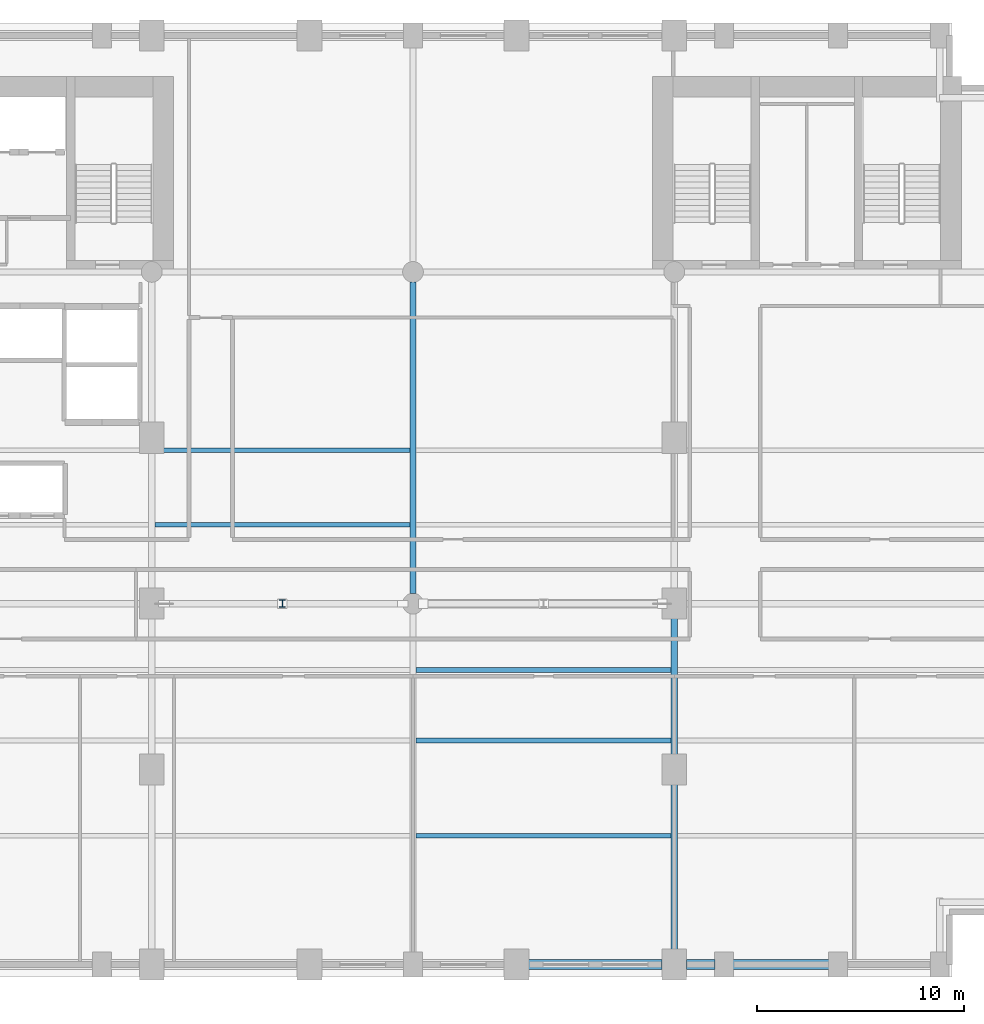
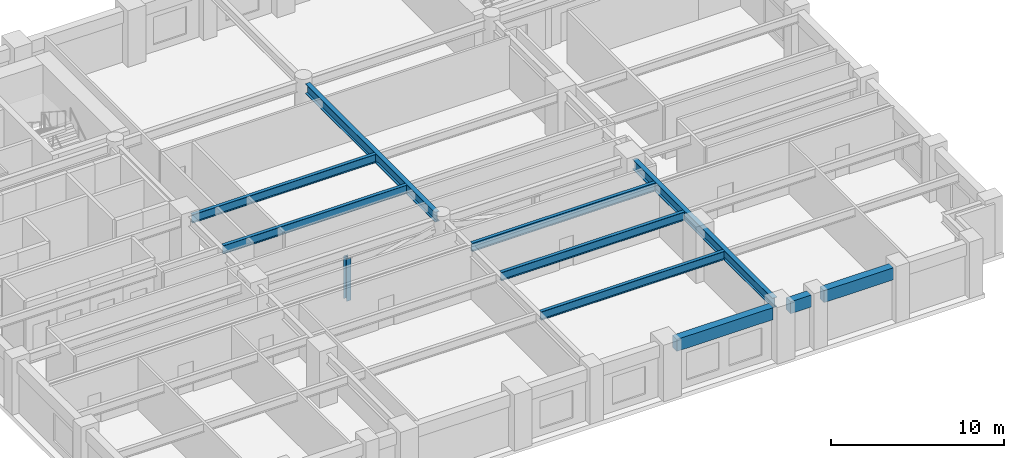
# One storey, part 2 of 10: 10 beams, 1 member.
"""IFC4 building model written with IfcOpenShell, lengths in metres."""

from ifc_helpers import new_model, si_unit, direction, frame, origin, origin_2d, place, context, subcontext, project, spatial, rectangle, i_section, extrude, material, material_profile, profile_set, type_object, element, save


model = new_model("IFC4")

# Units and contexts
model_context = context("Model", 3, precision=1e-05, world=origin(), true_north=direction((0.0, 1.0)))
body_context = subcontext(model_context, "Body", "Model", "MODEL_VIEW")
ifc_project = project(units=[si_unit("LENGTHUNIT", "METRE"), si_unit("AREAUNIT", "SQUARE_METRE"), si_unit("VOLUMEUNIT", "CUBIC_METRE"), si_unit("PLANEANGLEUNIT", "RADIAN"), si_unit("MASSUNIT", "GRAM", prefix="KILO")], contexts=[model_context])

# Site, building, storey
site_placement = place(None, origin())
site = spatial("IfcSite", under=ifc_project, at=site_placement, CompositionType="ELEMENT")
building_placement = place(site_placement, origin())
building = spatial("IfcBuilding", under=site, at=building_placement, Name="Sulina Concourse Tower", CompositionType="ELEMENT")
storey_placement = place(building_placement, frame((0.0, 0.0, 50.60009765625)))
storey = spatial("IfcBuildingStorey", under=building, at=storey_placement, Name="L12", CompositionType="ELEMENT", Elevation=50.60009765625)

# Beams
ifc_material_1 = material(Name="Steel S355", Category="steel")
ifc_material_profile_1 = material_profile(ifc_material_1, i_section(OverallWidth=0.219970703125, OverallDepth=0.60009765625, WebThickness=0.011962890625, FlangeThickness=0.01904296875, at=origin_2d()), Name="IPE 600")
ifc_profile_set_1 = profile_set([ifc_material_profile_1], Name="Steel S355")
beam_type_1 = type_object("IfcBeamType", Name="Composite Floor Joist IPE600", PredefinedType="JOIST", material=ifc_profile_set_1)
for number, where, z_axis, x_axis, name in (
    (1, (29.14990234375, 6.800048828125, 3.39990234375), (1.0, 0.0, 0.0), (0.0, 1.0, 0.0), "FJ-J06-3-L12"),
    (2, (29.14990234375, 11.39990234375, 3.39990234375), (1.0, 0.0, 0.0), (0.0, 1.0, 0.0), "FJ-J11-3-L12"),
    (3, (29.14990234375, 14.800048828125, 3.39990234375), (1.0, 0.0, 0.0), (0.0, 1.0, 0.0), "FJ-J15-3-L12"),
    (4, (16.550048828125, 21.800048828125, 3.39990234375), (1.0, 0.0, 0.0), (0.0, 1.0, 0.0), "FJ-J22-2-L12"),
    (5, (16.550048828125, 25.39990234375, 3.39990234375), (1.0, 0.0, 0.0), (0.0, 1.0, 0.0), "FJ-J25-2-L12"),
):
    element("IfcBeam", number, at=place(storey_placement, frame(where, z_axis=z_axis, x_axis=x_axis)), inside=storey, type_object=beam_type_1, Name=name, PredefinedType="JOIST", context=body_context, shape_type="SweptSolid", body=[
        extrude(i_section(OverallWidth=0.219970703125, OverallDepth=0.60009765625, WebThickness=0.011962890625, FlangeThickness=0.01904296875, at=origin_2d()), origin(), (0.0, 0.0, 1.0), 12.300048828125),
    ])
ifc_material_2 = material(Name="Steel S355", Category="steel")
ifc_material_profile_2 = material_profile(ifc_material_2, i_section(OverallWidth=0.300048828125, OverallDepth=0.699951171875, WebThickness=0.01708984375, FlangeThickness=0.031982421875, at=origin_2d()), Name="HE 700 B")
ifc_profile_set_2 = profile_set([ifc_material_profile_2], Name="Steel S355")
beam_type_2 = type_object("IfcBeamType", Name="Floor Primary Girder Zone 1 HE700B", PredefinedType="BEAM", material=ifc_profile_set_2)
beam_1_placement = place(storey_placement, frame((29.0, 18.47998046875, 3.349853515625), z_axis=(0.0, 1.0, 0.0), x_axis=(-1.0, 0.0, 0.0)))
element("IfcBeam", 6, at=beam_1_placement, inside=storey, type_object=beam_type_2, Name="FG-NSB-29-L12", PredefinedType="BEAM", context=body_context, shape_type="SweptSolid", body=[
    extrude(i_section(OverallWidth=0.300048828125, OverallDepth=0.699951171875, WebThickness=0.01708984375, FlangeThickness=0.031982421875, at=origin_2d()), origin(), (0.0, 0.0, 1.0), 15.0400390625),
])
beam_2_placement = place(storey_placement, frame((41.60009765625, 1.179931640625, 3.349853515625), z_axis=(0.0, 1.0, 0.0), x_axis=(-1.0, 0.0, 0.0)))
element("IfcBeam", 7, at=beam_2_placement, inside=storey, type_object=beam_type_2, Name="FG-NSA-41-L12", PredefinedType="BEAM", context=body_context, shape_type="SweptSolid", body=[
    extrude(i_section(OverallWidth=0.300048828125, OverallDepth=0.699951171875, WebThickness=0.01708984375, FlangeThickness=0.031982421875, at=origin_2d()), origin(), (0.0, 0.0, 1.0), 16.239990234375),
])
ifc_material_3 = material(Name="Precast concrete C50/60", Category="concrete")
ifc_material_profile_3 = material_profile(ifc_material_3, rectangle(XDim=0.5, YDim=0.85009765625, at=origin_2d()), Name="RC 500x850")
ifc_profile_set_3 = profile_set([ifc_material_profile_3], Name="Precast concrete C50/60")
beam_type_3 = type_object("IfcBeamType", Name="Lower Precast Spandrel Edge Beam 500x850", PredefinedType="BEAM", material=ifc_profile_set_3)
beam_3_placement = place(storey_placement, frame((34.580078125, 0.60009765625, 3.27490234375), z_axis=(1.0, 0.0, 0.0), x_axis=(0.0, 1.0, 0.0)))
element("IfcBeam", 8, at=beam_3_placement, inside=storey, type_object=beam_type_3, Name="SP-S7-L12", PredefinedType="BEAM", context=body_context, shape_type="SweptSolid", body=[
    extrude(rectangle(XDim=0.5, YDim=0.85009765625, at=origin_2d()), origin(), (0.0, 0.0, 1.0), 6.43994140625),
])
beam_4_placement = place(storey_placement, frame((42.179931640625, 0.60009765625, 3.27490234375), z_axis=(1.0, 0.0, 0.0), x_axis=(0.0, 1.0, 0.0)))
element("IfcBeam", 9, at=beam_4_placement, inside=storey, type_object=beam_type_3, Name="SP-S8-L12", PredefinedType="BEAM", context=body_context, shape_type="SweptSolid", body=[
    extrude(rectangle(XDim=0.5, YDim=0.85009765625, at=origin_2d()), origin(), (0.0, 0.0, 1.0), 1.39013671875),
])
beam_5_placement = place(storey_placement, frame((44.429931640625, 0.60009765625, 3.27490234375), z_axis=(1.0, 0.0, 0.0), x_axis=(0.0, 1.0, 0.0)))
element("IfcBeam", 10, at=beam_5_placement, inside=storey, type_object=beam_type_3, Name="SP-S9-L12", PredefinedType="BEAM", context=body_context, shape_type="SweptSolid", body=[
    extrude(rectangle(XDim=0.5, YDim=0.85009765625, at=origin_2d()), origin(), (0.0, 0.0, 1.0), 4.64013671875),
])

# Member
ifc_material_4 = material(Name="Steel S355", Category="steel")
ifc_material_profile_4 = material_profile(ifc_material_4, i_section(OverallWidth=0.300048828125, OverallDepth=0.360107421875, WebThickness=0.012451171875, FlangeThickness=0.0224609375, at=origin_2d()), Name="HE 360 B")
ifc_profile_set_4 = profile_set([ifc_material_profile_4], Name="Steel S355")
member_type = type_object("IfcMemberType", Name="Truss Vertical Post Strut HE360B", PredefinedType="STRUT", material=ifc_profile_set_4)
member_placement = place(storey_placement, frame((22.699951171875, 18.0, 0.0048828125), z_axis=(0.0, 0.0, 1.0), x_axis=(1.0, 0.0, 0.0)))
element("IfcMember", 11, at=member_placement, inside=storey, type_object=member_type, Name="LBT-VP-1-L12", PredefinedType="STRUT", context=body_context, shape_type="SweptSolid", body=[
    extrude(i_section(OverallWidth=0.300048828125, OverallDepth=0.360107421875, WebThickness=0.012451171875, FlangeThickness=0.0224609375, at=origin_2d()), origin(), (0.0, 0.0, 1.0), 3.005126953125),
])

save(model, "model.ifc")
